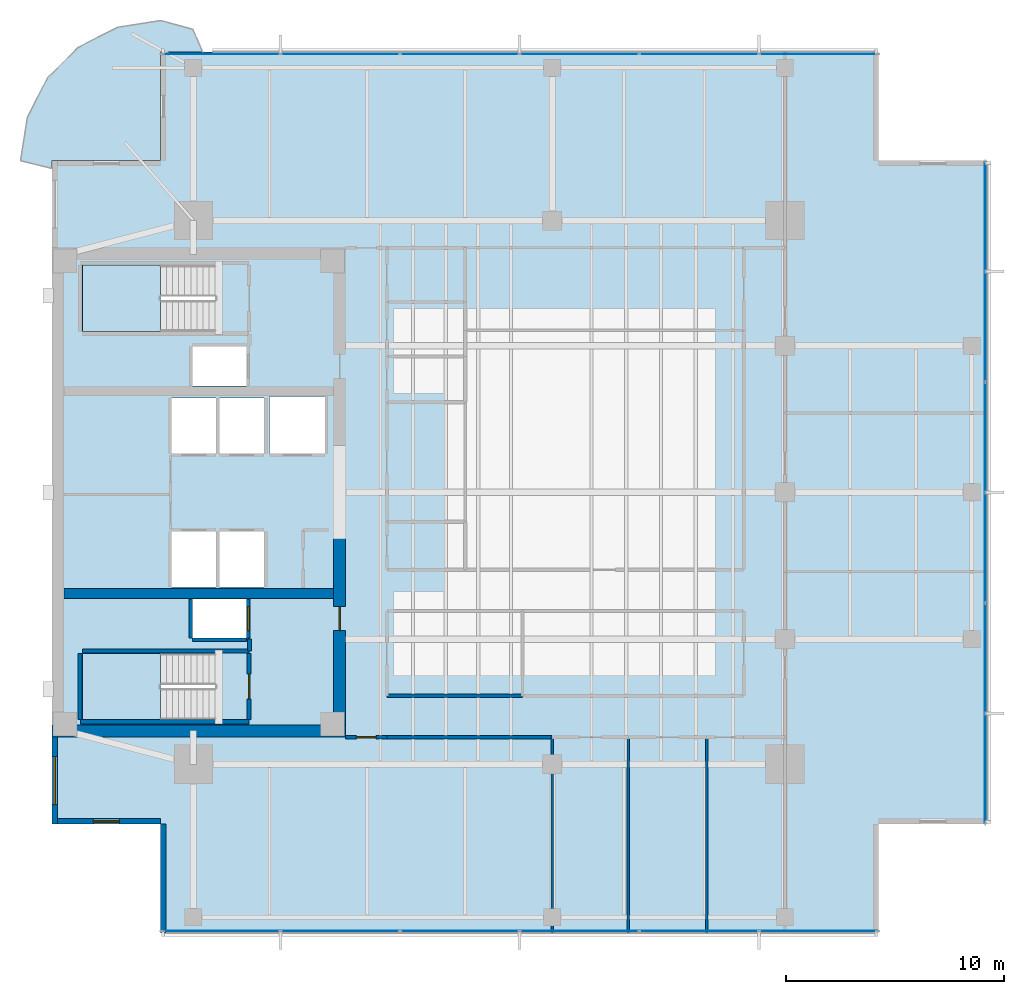
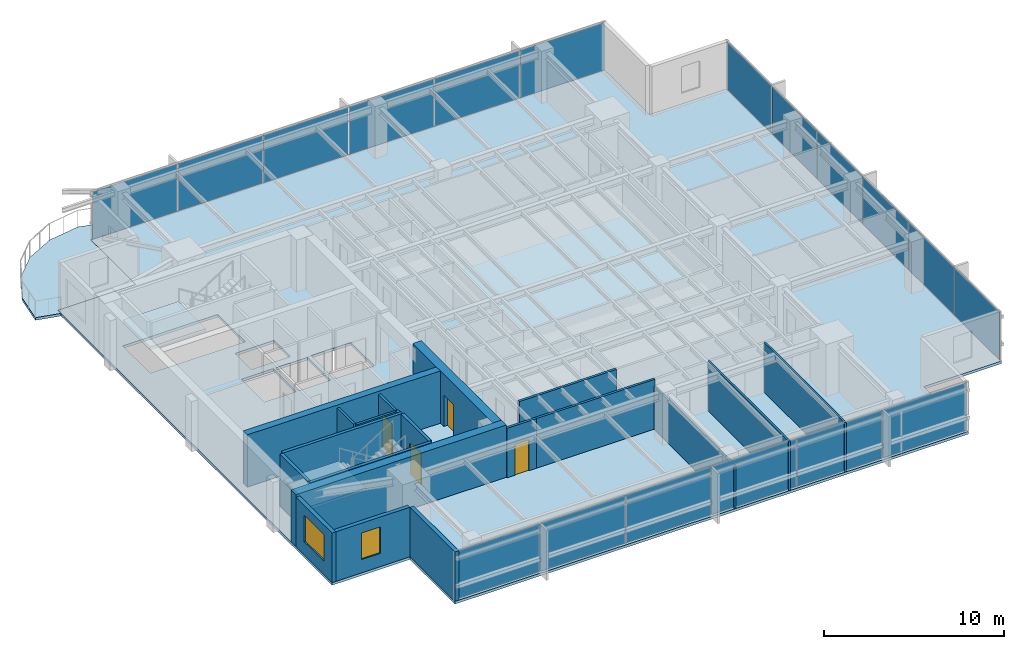
# One storey, part 7 of 14: 20 walls, 18 plates, 4 doors, 4 slabs, 2 windows, 6 openings, 5 elements without a shape of their own.
"""IFC4 building model written with IfcOpenShell, lengths in metres."""

from ifc_helpers import new_model, si_unit, direction, frame, frame_2d, origin, origin_2d, place, context, subcontext, project, spatial, polyline, rectangle, outline, extrude, material, layer, layer_set, type_object, element, fill, aggregate, save


model = new_model("IFC4")

# Units and contexts
model_context = context("Model", 3, precision=1e-05, world=origin(), true_north=direction((0.0, 1.0)))
body_context = subcontext(model_context, "Body", "Model", "MODEL_VIEW")
ifc_project = project(units=[si_unit("LENGTHUNIT", "METRE"), si_unit("AREAUNIT", "SQUARE_METRE"), si_unit("VOLUMEUNIT", "CUBIC_METRE"), si_unit("PLANEANGLEUNIT", "RADIAN"), si_unit("MASSUNIT", "GRAM", prefix="KILO")], contexts=[model_context])

# Site, building, storey
site_placement = place(None, origin())
site = spatial("IfcSite", under=ifc_project, at=site_placement, CompositionType="ELEMENT")
building_placement = place(site_placement, origin())
building = spatial("IfcBuilding", under=site, at=building_placement, Name="Kinhvarn Gate Tower", CompositionType="ELEMENT")
storey_placement = place(building_placement, frame((0.0, 0.0, 230.64990234375)))
storey = spatial("IfcBuildingStorey", under=building, at=storey_placement, Name="L61", CompositionType="ELEMENT", Elevation=230.64990234375)

# Curtain wall, plates
ifc_material_1 = material(Name="Anodised aluminium AW-6063", Category="aluminium")
ifc_layer_1 = layer(ifc_material_1, 0.179931640625)
ifc_layer_set_1 = layer_set([ifc_layer_1], Name="Anodised aluminium AW-6063")
curtain_wall_type = type_object("IfcCurtainWallType", Name="CW-SYS-3", PredefinedType="NOTDEFINED", material=ifc_layer_set_1)
curtain_wall_1_placement = place(storey_placement, origin())
curtain_wall_1 = element("IfcCurtainWall", 1, at=curtain_wall_1_placement, inside=storey, type_object=curtain_wall_type, Name="Curtain Wall CW3 (L61)", PredefinedType="NOTDEFINED")
ifc_material_2 = material(Name="Clear low-e double glazing", Category="glass")
ifc_layer_2 = layer(ifc_material_2, 0.031982421875)
ifc_layer_set_2 = layer_set([ifc_layer_2], Name="Clear low-e double glazing")
plate_type = type_object("IfcPlateType", Name="CW-PNL-VIS", PredefinedType="CURTAIN_PANEL", material=ifc_layer_set_2)
plate_1_placement = place(storey_placement, frame((12.266357421875, 5.090087890625, 0.070068359375), z_axis=(0.0, 0.0, 1.0), x_axis=(1.0, 0.0, 0.0)))
plate_1 = element("IfcPlate", 2, at=plate_1_placement, type_object=plate_type, Name="CW3 panel 1.1", PredefinedType="CURTAIN_PANEL", context=body_context, shape_type="SweptSolid", body=[
    extrude(rectangle(XDim=5.402587890625, YDim=0.031982421875, at=origin_2d()), origin(), (0.0, 0.0, 1.0), 3.22998046875),
])
plate_2_placement = place(storey_placement, frame((17.75, 5.090087890625, 0.070068359375), z_axis=(0.0, 0.0, 1.0), x_axis=(1.0, 0.0, 0.0)))
plate_2 = element("IfcPlate", 3, at=plate_2_placement, type_object=plate_type, Name="CW3 panel 2.1", PredefinedType="CURTAIN_PANEL", context=body_context, shape_type="SweptSolid", body=[
    extrude(rectangle(XDim=5.43505859375, YDim=0.031982421875, at=origin_2d()), origin(), (0.0, 0.0, 1.0), 3.22998046875),
])
plate_3_placement = place(storey_placement, frame((23.25, 5.090087890625, 0.070068359375), z_axis=(0.0, 0.0, 1.0), x_axis=(1.0, 0.0, 0.0)))
plate_3 = element("IfcPlate", 4, at=plate_3_placement, type_object=plate_type, Name="CW3 panel 3.1", PredefinedType="CURTAIN_PANEL", context=body_context, shape_type="SweptSolid", body=[
    extrude(rectangle(XDim=5.43505859375, YDim=0.031982421875, at=origin_2d()), origin(), (0.0, 0.0, 1.0), 3.22998046875),
])
plate_4_placement = place(storey_placement, frame((28.75, 5.090087890625, 0.070068359375), z_axis=(0.0, 0.0, 1.0), x_axis=(1.0, 0.0, 0.0)))
plate_4 = element("IfcPlate", 5, at=plate_4_placement, type_object=plate_type, Name="CW3 panel 4.1", PredefinedType="CURTAIN_PANEL", context=body_context, shape_type="SweptSolid", body=[
    extrude(rectangle(XDim=5.43505859375, YDim=0.031982421875, at=origin_2d()), origin(), (0.0, 0.0, 1.0), 3.22998046875),
])
plate_5_placement = place(storey_placement, frame((34.25, 5.090087890625, 0.070068359375), z_axis=(0.0, 0.0, 1.0), x_axis=(1.0, 0.0, 0.0)))
plate_5 = element("IfcPlate", 6, at=plate_5_placement, type_object=plate_type, Name="CW3 panel 5.1", PredefinedType="CURTAIN_PANEL", context=body_context, shape_type="SweptSolid", body=[
    extrude(rectangle(XDim=5.43505859375, YDim=0.031982421875, at=origin_2d()), origin(), (0.0, 0.0, 1.0), 3.22998046875),
])
plate_6_placement = place(storey_placement, frame((39.733642578125, 5.090087890625, 0.070068359375), z_axis=(0.0, 0.0, 1.0), x_axis=(1.0, 0.0, 0.0)))
plate_6 = element("IfcPlate", 7, at=plate_6_placement, type_object=plate_type, Name="CW3 panel 6.1", PredefinedType="CURTAIN_PANEL", context=body_context, shape_type="SweptSolid", body=[
    extrude(rectangle(XDim=5.402587890625, YDim=0.031982421875, at=origin_2d()), origin(), (0.0, 0.0, 1.0), 3.22998046875),
])
aggregate(curtain_wall_1, [plate_1, plate_2, plate_3, plate_4, plate_5, plate_6])

curtain_wall_2_placement = place(storey_placement, origin())
curtain_wall_2 = element("IfcCurtainWall", 8, at=curtain_wall_2_placement, inside=storey, type_object=curtain_wall_type, Name="Curtain Wall CW3 (L61)", PredefinedType="NOTDEFINED")
plate_7_placement = place(storey_placement, frame((39.733642578125, 45.409912109375, 0.070068359375), z_axis=(0.0, 0.0, 1.0), x_axis=(-1.0, 0.0, 0.0)))
plate_7 = element("IfcPlate", 9, at=plate_7_placement, type_object=plate_type, Name="CW3 panel 1.1", PredefinedType="CURTAIN_PANEL", context=body_context, shape_type="SweptSolid", body=[
    extrude(rectangle(XDim=5.402587890625, YDim=0.031982421875, at=origin_2d()), origin(), (0.0, 0.0, 1.0), 3.22998046875),
])
plate_8_placement = place(storey_placement, frame((34.25, 45.409912109375, 0.070068359375), z_axis=(0.0, 0.0, 1.0), x_axis=(-1.0, 0.0, 0.0)))
plate_8 = element("IfcPlate", 10, at=plate_8_placement, type_object=plate_type, Name="CW3 panel 2.1", PredefinedType="CURTAIN_PANEL", context=body_context, shape_type="SweptSolid", body=[
    extrude(rectangle(XDim=5.43505859375, YDim=0.031982421875, at=origin_2d()), origin(), (0.0, 0.0, 1.0), 3.22998046875),
])
plate_9_placement = place(storey_placement, frame((28.75, 45.409912109375, 0.070068359375), z_axis=(0.0, 0.0, 1.0), x_axis=(-1.0, 0.0, 0.0)))
plate_9 = element("IfcPlate", 11, at=plate_9_placement, type_object=plate_type, Name="CW3 panel 3.1", PredefinedType="CURTAIN_PANEL", context=body_context, shape_type="SweptSolid", body=[
    extrude(rectangle(XDim=5.43505859375, YDim=0.031982421875, at=origin_2d()), origin(), (0.0, 0.0, 1.0), 3.22998046875),
])
plate_10_placement = place(storey_placement, frame((23.25, 45.409912109375, 0.070068359375), z_axis=(0.0, 0.0, 1.0), x_axis=(-1.0, 0.0, 0.0)))
plate_10 = element("IfcPlate", 12, at=plate_10_placement, type_object=plate_type, Name="CW3 panel 4.1", PredefinedType="CURTAIN_PANEL", context=body_context, shape_type="SweptSolid", body=[
    extrude(rectangle(XDim=5.43505859375, YDim=0.031982421875, at=origin_2d()), origin(), (0.0, 0.0, 1.0), 3.22998046875),
])
plate_11_placement = place(storey_placement, frame((17.75, 45.409912109375, 0.070068359375), z_axis=(0.0, 0.0, 1.0), x_axis=(-1.0, 0.0, 0.0)))
plate_11 = element("IfcPlate", 13, at=plate_11_placement, type_object=plate_type, Name="CW3 panel 5.1", PredefinedType="CURTAIN_PANEL", context=body_context, shape_type="SweptSolid", body=[
    extrude(rectangle(XDim=5.43505859375, YDim=0.031982421875, at=origin_2d()), origin(), (0.0, 0.0, 1.0), 3.22998046875),
])
plate_12_placement = place(storey_placement, frame((12.266357421875, 45.409912109375, 0.070068359375), z_axis=(0.0, 0.0, 1.0), x_axis=(-1.0, 0.0, 0.0)))
plate_12 = element("IfcPlate", 14, at=plate_12_placement, type_object=plate_type, Name="CW3 panel 6.1", PredefinedType="CURTAIN_PANEL", context=body_context, shape_type="SweptSolid", body=[
    extrude(rectangle(XDim=5.402587890625, YDim=0.031982421875, at=origin_2d()), origin(), (0.0, 0.0, 1.0), 3.22998046875),
])
aggregate(curtain_wall_2, [plate_7, plate_8, plate_9, plate_10, plate_11, plate_12])

curtain_wall_3_placement = place(storey_placement, origin())
curtain_wall_3 = element("IfcCurtainWall", 15, at=curtain_wall_3_placement, inside=storey, type_object=curtain_wall_type, Name="Curtain Wall CW3 (L61)", PredefinedType="NOTDEFINED")
plate_13_placement = place(storey_placement, frame((47.409912109375, 12.557861328125, 0.070068359375), z_axis=(0.0, 0.0, 1.0), x_axis=(0.0, 1.0, 0.0)))
plate_13 = element("IfcPlate", 16, at=plate_13_placement, type_object=plate_type, Name="CW3 panel 1.1", PredefinedType="CURTAIN_PANEL", context=body_context, shape_type="SweptSolid", body=[
    extrude(rectangle(XDim=4.98583984375, YDim=0.031982421875, at=origin_2d()), origin(), (0.0, 0.0, 1.0), 3.22998046875),
])
plate_14_placement = place(storey_placement, frame((47.409912109375, 17.625, 0.070068359375), z_axis=(0.0, 0.0, 1.0), x_axis=(0.0, 1.0, 0.0)))
plate_14 = element("IfcPlate", 17, at=plate_14_placement, type_object=plate_type, Name="CW3 panel 2.1", PredefinedType="CURTAIN_PANEL", context=body_context, shape_type="SweptSolid", body=[
    extrude(rectangle(XDim=5.018310546875, YDim=0.031982421875, at=origin_2d()), origin(), (0.0, 0.0, 1.0), 3.22998046875),
])
plate_15_placement = place(storey_placement, frame((47.409912109375, 22.708251953125, 0.070068359375), z_axis=(0.0, 0.0, 1.0), x_axis=(0.0, 1.0, 0.0)))
plate_15 = element("IfcPlate", 18, at=plate_15_placement, type_object=plate_type, Name="CW3 panel 3.1", PredefinedType="CURTAIN_PANEL", context=body_context, shape_type="SweptSolid", body=[
    extrude(rectangle(XDim=5.018310546875, YDim=0.031982421875, at=origin_2d()), origin(), (0.0, 0.0, 1.0), 3.22998046875),
])
plate_16_placement = place(storey_placement, frame((47.409912109375, 27.791748046875, 0.070068359375), z_axis=(0.0, 0.0, 1.0), x_axis=(0.0, 1.0, 0.0)))
plate_16 = element("IfcPlate", 19, at=plate_16_placement, type_object=plate_type, Name="CW3 panel 4.1", PredefinedType="CURTAIN_PANEL", context=body_context, shape_type="SweptSolid", body=[
    extrude(rectangle(XDim=5.018310546875, YDim=0.031982421875, at=origin_2d()), origin(), (0.0, 0.0, 1.0), 3.22998046875),
])
plate_17_placement = place(storey_placement, frame((47.409912109375, 32.875, 0.070068359375), z_axis=(0.0, 0.0, 1.0), x_axis=(0.0, 1.0, 0.0)))
plate_17 = element("IfcPlate", 20, at=plate_17_placement, type_object=plate_type, Name="CW3 panel 5.1", PredefinedType="CURTAIN_PANEL", context=body_context, shape_type="SweptSolid", body=[
    extrude(rectangle(XDim=5.018310546875, YDim=0.031982421875, at=origin_2d()), origin(), (0.0, 0.0, 1.0), 3.22998046875),
])
plate_18_placement = place(storey_placement, frame((47.409912109375, 37.942138671875, 0.070068359375), z_axis=(0.0, 0.0, 1.0), x_axis=(0.0, 1.0, 0.0)))
plate_18 = element("IfcPlate", 21, at=plate_18_placement, type_object=plate_type, Name="CW3 panel 6.1", PredefinedType="CURTAIN_PANEL", context=body_context, shape_type="SweptSolid", body=[
    extrude(rectangle(XDim=4.98583984375, YDim=0.031982421875, at=origin_2d()), origin(), (0.0, 0.0, 1.0), 3.22998046875),
])
aggregate(curtain_wall_3, [plate_13, plate_14, plate_15, plate_16, plate_17, plate_18])

# Slabs
ifc_material_3 = material(Name="Precast white architectural concrete C40/50", Category="concrete")
ifc_layer_3 = layer(ifc_material_3, 0.179931640625)
ifc_layer_set_3 = layer_set([ifc_layer_3], Name="Precast white architectural concrete C40/50")
slab_type_1 = type_object("IfcSlabType", Name="SLB-BAL-180", PredefinedType="FLOOR", material=ifc_layer_set_3)
slab_1_placement = place(storey_placement, frame((0.0, 0.0, -0.179931640625)))
element("IfcSlab", 22, at=slab_1_placement, inside=storey, type_object=slab_type_1, Name="S-Carve Curved Terrace Balcony Slab L61 (NW)", PredefinedType="FLOOR", context=body_context, shape_type="SweptSolid", body=[
    extrude(outline(polyline([(11.425048828125, 45.5), (10.97509765625, 46.541748046875), (9.5, 46.947021484375), (7.5078125, 46.631591796875), (5.71044921875, 45.7158203125), (4.2841796875, 44.28955078125), (3.368408203125, 42.4921875), (3.052978515625, 40.5), (4.5, 40.14794921875), (4.5, 40.5), (9.5, 40.5), (9.5, 45.5), (11.425048828125, 45.5)])), origin(), (0.0, 0.0, 1.0), 0.179931640625),
])
ifc_material_4 = material(Name="Concrete C40/50", Category="concrete")
ifc_layer_4 = layer(ifc_material_4, 0.179931640625)
ifc_layer_set_4 = layer_set([ifc_layer_4], Name="Concrete C40/50")
slab_type_2 = type_object("IfcSlabType", Name="SLB-FLR-180", PredefinedType="FLOOR", material=ifc_layer_set_4)
slab_2_placement = place(storey_placement, frame((0.0, 0.0, -0.179931640625)))
element("IfcSlab", 23, at=slab_2_placement, inside=storey, type_object=slab_type_2, Name="Suspended Floor Slab L61", PredefinedType="FLOOR", context=body_context, shape_type="SweptSolid", body=[
    extrude(outline(polyline([(9.5, 5.0), (42.5, 5.0), (42.5, 10.0), (47.5, 10.0), (47.5, 40.5), (42.5, 40.5), (42.5, 45.5), (9.5, 45.5), (9.5, 40.5), (4.5, 40.5), (4.5, 10.0), (9.5, 10.0), (9.5, 5.0)]), holes=[polyline([(5.89990234375, 14.800048828125), (12.0, 14.800048828125), (12.0, 17.85009765625), (5.89990234375, 17.85009765625), (5.89990234375, 14.800048828125)]), polyline([(5.89990234375, 32.64990234375), (12.0, 32.64990234375), (12.0, 35.699951171875), (5.89990234375, 35.699951171875), (5.89990234375, 32.64990234375)]), polyline([(10.0, 20.89990234375), (12.050048828125, 20.89990234375), (12.050048828125, 23.449951171875), (10.0, 23.449951171875), (10.0, 20.89990234375)]), polyline([(12.199951171875, 20.89990234375), (14.25, 20.89990234375), (14.25, 23.449951171875), (12.199951171875, 23.449951171875), (12.199951171875, 20.89990234375)]), polyline([(10.0, 27.050048828125), (12.050048828125, 27.050048828125), (12.050048828125, 29.60009765625), (10.0, 29.60009765625), (10.0, 27.050048828125)]), polyline([(12.199951171875, 27.050048828125), (14.25, 27.050048828125), (14.25, 29.60009765625), (12.199951171875, 29.60009765625), (12.199951171875, 27.050048828125)]), polyline([(14.5, 27.050048828125), (17.050048828125, 27.050048828125), (17.050048828125, 29.64990234375), (14.5, 29.64990234375), (14.5, 27.050048828125)]), polyline([(10.949951171875, 18.550048828125), (13.449951171875, 18.550048828125), (13.449951171875, 20.35009765625), (10.949951171875, 20.35009765625), (10.949951171875, 18.550048828125)]), polyline([(10.949951171875, 30.14990234375), (13.449951171875, 30.14990234375), (13.449951171875, 31.949951171875), (10.949951171875, 31.949951171875), (10.949951171875, 30.14990234375)])]), origin(), (0.0, 0.0, 1.0), 0.179931640625),
])

# Stair, slab
stair_type = type_object("IfcStairType", Name="STR-DLG-177", PredefinedType="HALF_TURN_STAIR", material=ifc_material_4)
stair_1_placement = place(storey_placement, origin())
stair_1 = element("IfcStair", 24, at=stair_1_placement, inside=storey, type_object=stair_type, Name="L61 Core Smokeproof Exit Stair ST1", PredefinedType="HALF_TURN_STAIR")
ifc_layer_5 = layer(ifc_material_4, 0.199951171875)
ifc_layer_set_5 = layer_set([ifc_layer_5], Name="Concrete C40/50")
slab_type_3 = type_object("IfcSlabType", Name="SLB-ST-LND", PredefinedType="LANDING", material=ifc_layer_set_5)
slab_3_placement = place(storey_placement, frame((0.0, 0.0, 1.5751953125)))
slab_3 = element("IfcSlab", 25, at=slab_3_placement, type_object=slab_type_3, Name="ST1 landing 1", PredefinedType="LANDING", context=body_context, shape_type="SweptSolid", body=[
    extrude(outline(polyline([(9.47998046875, 17.85009765625), (5.89990234375, 17.85009765625), (5.89990234375, 14.800048828125), (9.47998046875, 14.800048828125), (9.47998046875, 17.85009765625)])), origin(), (0.0, 0.0, 1.0), 0.199951171875),
])
aggregate(stair_1, [slab_3])

stair_2_placement = place(storey_placement, origin())
stair_2 = element("IfcStair", 26, at=stair_2_placement, inside=storey, type_object=stair_type, Name="L61 Core Smokeproof Exit Stair ST2", PredefinedType="HALF_TURN_STAIR")
slab_4_placement = place(storey_placement, frame((0.0, 0.0, 1.5751953125)))
slab_4 = element("IfcSlab", 27, at=slab_4_placement, type_object=slab_type_3, Name="ST2 landing 1", PredefinedType="LANDING", context=body_context, shape_type="SweptSolid", body=[
    extrude(outline(polyline([(9.47998046875, 35.699951171875), (5.89990234375, 35.699951171875), (5.89990234375, 32.64990234375), (9.47998046875, 32.64990234375), (9.47998046875, 35.699951171875)])), origin(), (0.0, 0.0, 1.0), 0.199951171875),
])
aggregate(stair_2, [slab_4])

# Walls
ifc_material_5 = material(Name="Concrete C50/60", Category="concrete")
ifc_layer_6 = layer(ifc_material_5, 0.449951171875)
ifc_layer_set_6 = layer_set([ifc_layer_6], Name="Concrete C50/60")
wall_type_1 = type_object("IfcWallType", Name="WL-CORE-450", PredefinedType="SHEAR", material=ifc_layer_set_6)
wall_1_placement = place(storey_placement, frame((5.050048828125, 20.60009765625, 0.0), z_axis=(0.0, 0.0, 1.0), x_axis=(1.0, 0.0, 0.0)))
element("IfcWall", 28, at=wall_1_placement, inside=storey, type_object=wall_type_1, Name="Core South Spine Shear Wall L61 450 mm", PredefinedType="SHEAR", context=body_context, shape_type="SweptSolid", body=[
    extrude(rectangle(XDim=12.39990234375, YDim=0.449951171875, at=frame_2d((6.199951171875, 0.0))), origin(), (0.0, 0.0, 1.0), 3.550048828125),
])
ifc_material_6 = material(Name="Concrete C60/75", Category="concrete")
ifc_layer_7 = layer(ifc_material_6, 0.550048828125)
ifc_layer_set_7 = layer_set([ifc_layer_7], Name="Concrete C60/75")
wall_type_2 = type_object("IfcWallType", Name="WL-CORE-550", PredefinedType="SHEAR", material=ifc_layer_set_7)
wall_2_placement = place(storey_placement, frame((4.5, 14.27490234375, 0.0), z_axis=(0.0, 0.0, 1.0), x_axis=(1.0, 0.0, 0.0)))
element("IfcWall", 29, at=wall_2_placement, inside=storey, type_object=wall_type_2, Name="Core South Shear Wall L61 550 mm", PredefinedType="SHEAR", context=body_context, shape_type="SweptSolid", body=[
    extrude(rectangle(XDim=13.5, YDim=0.550048828125, at=frame_2d((6.75, 0.0))), origin(), (0.0, 0.0, 1.0), 3.550048828125),
])

# Wall, opening, door
wall_3_placement = place(storey_placement, frame((17.72509765625, 14.550048828125, 0.0), z_axis=(0.0, 0.0, 1.0), x_axis=(0.0, 1.0, 0.0)))
wall_3 = element("IfcWall", 30, at=wall_3_placement, inside=storey, type_object=wall_type_2, Name="Core East-South Shear Pier L61 550 mm", PredefinedType="SHEAR", context=body_context, shape_type="SweptSolid", body=[
    extrude(rectangle(XDim=8.89990234375, YDim=0.550048828125, at=frame_2d((4.449951171875, 0.0))), origin(), (0.0, 0.0, 1.0), 3.550048828125),
])
opening_1_placement = place(wall_3_placement, frame((4.35009765625, 0.0, 0.0)))
opening_1 = element("IfcOpeningElement", 31, at=opening_1_placement, cuts=wall_3, Name="Opening FD-02", PredefinedType="OPENING", context=body_context, shape_type="SweptSolid", body=[
    extrude(rectangle(XDim=1.10009765625, YDim=2.14990234375, at=frame_2d((0.550048828125, 1.074951171875))), frame((0.0, 0.28515625, 0.0), z_axis=(0.0, -1.0, 0.0), x_axis=(1.0, 0.0, 0.0)), (0.0, 0.0, 1.0), 0.570068359375),
])
door_type_1 = type_object("IfcDoorType", Name="DR-FD-1100", OperationType="NOTDEFINED", PredefinedType="DOOR", material=ifc_material_1)
door_1_placement = place(opening_1_placement, origin())
door_1 = element("IfcDoor", 32, at=door_1_placement, inside=storey, type_object=door_type_1, Name="Firefighting Lobby Core Door (L61)", OperationType="SINGLE_SWING_RIGHT", OverallHeight=2.14990234375, OverallWidth=1.10009765625, PredefinedType="DOOR", context=body_context, shape_type="SweptSolid", body=[
    extrude(rectangle(XDim=1.10009765625, YDim=2.14990234375, at=frame_2d((0.550048828125, 1.074951171875))), frame((0.0, 0.02490234375, 0.0), z_axis=(0.0, -1.0, 0.0), x_axis=(1.0, 0.0, 0.0)), (0.0, 0.0, 1.0), 0.050048828125),
])
fill(opening_1, door_1)

# Wall, opening, window
ifc_material_7 = material(Name="Fired architectural terracotta", Category="masonry")
ifc_layer_8 = layer(ifc_material_7, 0.25)
ifc_layer_set_8 = layer_set([ifc_layer_8], Name="Fired architectural terracotta")
wall_type_3 = type_object("IfcWallType", Name="WL-EXT-250", PredefinedType="SOLIDWALL", material=ifc_layer_set_8)
wall_4_placement = place(storey_placement, frame((4.625, 14.0, 0.0), z_axis=(0.0, 0.0, 1.0), x_axis=(0.0, -1.0, 0.0)))
wall_4 = element("IfcWall", 33, at=wall_4_placement, inside=storey, type_object=wall_type_3, Name="Exterior Solidwall Wall EW-250 (L61 West-South)", PredefinedType="SOLIDWALL", context=body_context, shape_type="SweptSolid", body=[
    extrude(rectangle(XDim=4.0, YDim=0.25, at=frame_2d((2.0, 0.0))), origin(), (0.0, 0.0, 1.0), 3.3701171875),
])
opening_2_placement = place(wall_4_placement, frame((0.89990234375, 0.0, 0.89990234375)))
opening_2 = element("IfcOpeningElement", 34, at=opening_2_placement, cuts=wall_4, Name="Opening WN-01", PredefinedType="OPENING", context=body_context, shape_type="SweptSolid", body=[
    extrude(rectangle(XDim=2.199951171875, YDim=1.800048828125, at=frame_2d((1.10009765625, 0.89990234375))), frame((0.0, 0.135009765625, 0.0), z_axis=(0.0, -1.0, 0.0), x_axis=(1.0, 0.0, 0.0)), (0.0, 0.0, 1.0), 0.27001953125),
])
window_type_1 = type_object("IfcWindowType", Name="WIN-RIB-2200", PartitioningType="SINGLE_PANEL", PredefinedType="WINDOW", material=ifc_material_2)
window_1_placement = place(opening_2_placement, origin())
window_1 = element("IfcWindow", 35, at=window_1_placement, inside=storey, type_object=window_type_1, Name="West Flank Double-Glazed Ribbon Window 2200x1800 mm (L61)", OverallHeight=1.800048828125, OverallWidth=2.199951171875, PartitioningType="SINGLE_PANEL", PredefinedType="WINDOW", context=body_context, shape_type="SweptSolid", body=[
    extrude(rectangle(XDim=2.199951171875, YDim=1.800048828125, at=frame_2d((1.10009765625, 0.89990234375))), frame((0.0, 0.030029296875, 0.0), z_axis=(0.0, -1.0, 0.0), x_axis=(1.0, 0.0, 0.0)), (0.0, 0.0, 1.0), 0.06005859375),
])
fill(opening_2, window_1)

wall_5_placement = place(storey_placement, frame((4.5, 10.125, 0.0), z_axis=(0.0, 0.0, 1.0), x_axis=(1.0, 0.0, 0.0)))
wall_5 = element("IfcWall", 36, at=wall_5_placement, inside=storey, type_object=wall_type_3, Name="Exterior Solidwall Wall EW-250 (L61 SW-Notch-1)", PredefinedType="SOLIDWALL", context=body_context, shape_type="SweptSolid", body=[
    extrude(rectangle(XDim=5.0, YDim=0.25, at=frame_2d((2.5, 0.0))), origin(), (0.0, 0.0, 1.0), 3.3701171875),
])
opening_3_placement = place(wall_5_placement, frame((1.89990234375, 0.0, 0.89990234375)))
opening_3 = element("IfcOpeningElement", 37, at=opening_3_placement, cuts=wall_5, Name="Opening WN-02", PredefinedType="OPENING", context=body_context, shape_type="SweptSolid", body=[
    extrude(rectangle(XDim=1.199951171875, YDim=1.800048828125, at=frame_2d((0.60009765625, 0.89990234375))), frame((0.0, 0.135009765625, 0.0), z_axis=(0.0, -1.0, 0.0), x_axis=(1.0, 0.0, 0.0)), (0.0, 0.0, 1.0), 0.27001953125),
])
window_type_2 = type_object("IfcWindowType", Name="WIN-NTC-1200", PartitioningType="SINGLE_PANEL", PredefinedType="WINDOW", material=ifc_material_2)
window_2_placement = place(opening_3_placement, origin())
window_2 = element("IfcWindow", 38, at=window_2_placement, inside=storey, type_object=window_type_2, Name="Recessed Corner Notch Punched Window 1200x1800 mm (L61)", OverallHeight=1.800048828125, OverallWidth=1.199951171875, PartitioningType="SINGLE_PANEL", PredefinedType="WINDOW", context=body_context, shape_type="SweptSolid", body=[
    extrude(rectangle(XDim=1.199951171875, YDim=1.800048828125, at=frame_2d((0.60009765625, 0.89990234375))), frame((0.0, 0.030029296875, 0.0), z_axis=(0.0, -1.0, 0.0), x_axis=(1.0, 0.0, 0.0)), (0.0, 0.0, 1.0), 0.06005859375),
])
fill(opening_3, window_2)

# Walls
wall_6_placement = place(storey_placement, frame((9.625, 10.0, 0.0), z_axis=(0.0, 0.0, 1.0), x_axis=(0.0, -1.0, 0.0)))
element("IfcWall", 39, at=wall_6_placement, inside=storey, type_object=wall_type_3, Name="Exterior Solidwall Wall EW-250 (L61 SW-Notch-2)", PredefinedType="SOLIDWALL", context=body_context, shape_type="SweptSolid", body=[
    extrude(rectangle(XDim=5.0, YDim=0.25, at=frame_2d((2.5, 0.0))), origin(), (0.0, 0.0, 1.0), 3.3701171875),
])
ifc_material_8 = material(Name="Gypsum acoustic partition board")
ifc_layer_9 = layer(ifc_material_8, 0.1201171875)
ifc_layer_set_9 = layer_set([ifc_layer_9], Name="Gypsum acoustic partition board")
wall_type_4 = type_object("IfcWallType", Name="WL-PRT-120", PredefinedType="PARTITIONING", material=ifc_layer_set_9)
wall_7_placement = place(storey_placement, frame((27.5, 5.010009765625, 0.0), z_axis=(0.0, 0.0, 1.0), x_axis=(0.0, 1.0, 0.0)))
element("IfcWall", 40, at=wall_7_placement, inside=storey, type_object=wall_type_4, Name="Interior Partition PW-120 (L61)", PredefinedType="PARTITIONING", context=body_context, shape_type="SweptSolid", body=[
    extrude(rectangle(XDim=8.989990234375, YDim=0.1201171875, at=frame_2d((4.4951171875, 0.0))), origin(), (0.0, 0.0, 1.0), 2.920166015625),
])
for number, where, z_axis, x_axis, name in (
    (41, (31.0, 5.010009765625, 0.0), (0.0, 0.0, 1.0), (0.0, 1.0, 0.0), "Interior Partition PW-120 (L61)"),
    (42, (34.60009765625, 5.010009765625, 0.0), (0.0, 0.0, 1.0), (0.0, 1.0, 0.0), "Interior Partition PW-120 (L61)"),
):
    element("IfcWall", number, at=place(storey_placement, frame(where, z_axis=z_axis, x_axis=x_axis)), inside=storey, type_object=wall_type_4, Name=name, PredefinedType="PARTITIONING", context=body_context, shape_type="SweptSolid", body=[
        extrude(rectangle(XDim=8.989990234375, YDim=0.1201171875, at=frame_2d((4.4951171875, 0.0))), origin(), (0.0, 0.0, 1.0), 3.3701171875),
    ])

# Wall, opening, door
ifc_layer_10 = layer(ifc_material_8, 0.14990234375)
ifc_layer_set_10 = layer_set([ifc_layer_10], Name="Gypsum acoustic partition board")
wall_type_5 = type_object("IfcWallType", Name="WL-PRT-150F", PredefinedType="PARTITIONING", material=ifc_layer_set_10)
wall_8_placement = place(storey_placement, frame((18.0, 14.0, 0.0), z_axis=(0.0, 0.0, 1.0), x_axis=(1.0, 0.0, 0.0)))
wall_8 = element("IfcWall", 43, at=wall_8_placement, inside=storey, type_object=wall_type_5, Name="Interior Partition PW-150F (L61)", PredefinedType="PARTITIONING", context=body_context, shape_type="SweptSolid", body=[
    extrude(rectangle(XDim=1.89990234375, YDim=0.14990234375, at=frame_2d((0.949951171875, 0.0))), origin(), (0.0, 0.0, 1.0), 3.3701171875),
])
opening_4_placement = place(wall_8_placement, frame((0.5, 0.0, 0.0)))
opening_4 = element("IfcOpeningElement", 44, at=opening_4_placement, cuts=wall_8, Name="Opening ID-03", PredefinedType="OPENING", context=body_context, shape_type="SweptSolid", body=[
    extrude(rectangle(XDim=0.89990234375, YDim=2.10009765625, at=frame_2d((0.449951171875, 1.050048828125))), frame((0.0, 0.0849609375, 0.0), z_axis=(0.0, -1.0, 0.0), x_axis=(1.0, 0.0, 0.0)), (0.0, 0.0, 1.0), 0.169921875),
])
door_type_2 = type_object("IfcDoorType", Name="DR-INT-900", OperationType="NOTDEFINED", PredefinedType="DOOR", material=ifc_material_1)
door_2_placement = place(opening_4_placement, origin())
door_2 = element("IfcDoor", 45, at=door_2_placement, inside=storey, type_object=door_type_2, Name="Cellular Office & Restroom Door 900x2100 mm (L61)", OperationType="SINGLE_SWING_LEFT", OverallHeight=2.10009765625, OverallWidth=0.89990234375, PredefinedType="DOOR", context=body_context, shape_type="SweptSolid", body=[
    extrude(rectangle(XDim=0.89990234375, YDim=2.10009765625, at=frame_2d((0.449951171875, 1.050048828125))), frame((0.0, 0.02490234375, 0.0), z_axis=(0.0, -1.0, 0.0), x_axis=(1.0, 0.0, 0.0)), (0.0, 0.0, 1.0), 0.050048828125),
])
fill(opening_4, door_2)

# Walls
wall_9_placement = place(storey_placement, frame((19.89990234375, 15.89990234375, 0.0), z_axis=(0.0, 0.0, 1.0), x_axis=(1.0, 0.0, 0.0)))
element("IfcWall", 46, at=wall_9_placement, inside=storey, type_object=wall_type_5, Name="Interior Partition PW-150F (L61)", PredefinedType="PARTITIONING", context=body_context, shape_type="SweptSolid", body=[
    extrude(rectangle(XDim=6.22998046875, YDim=0.14990234375, at=frame_2d((3.114990234375, 0.0))), origin(), (0.0, 0.0, 1.0), 3.3701171875),
])
wall_10_placement = place(storey_placement, frame((19.89990234375, 14.0, 0.0), z_axis=(0.0, 0.0, 1.0), x_axis=(1.0, 0.0, 0.0)))
element("IfcWall", 47, at=wall_10_placement, inside=storey, type_object=wall_type_5, Name="Interior Partition PW-150F (L61)", PredefinedType="PARTITIONING", context=body_context, shape_type="SweptSolid", body=[
    extrude(rectangle(XDim=7.60009765625, YDim=0.14990234375, at=frame_2d((3.800048828125, 0.0))), origin(), (0.0, 0.0, 1.0), 3.3701171875),
])
ifc_layer_11 = layer(ifc_material_8, 0.199951171875)
ifc_layer_set_11 = layer_set([ifc_layer_11], Name="Gypsum acoustic partition board")
wall_type_6 = type_object("IfcWallType", Name="WL-PRT-200", PredefinedType="PARTITIONING", material=ifc_layer_set_11)
wall_11_placement = place(storey_placement, frame((13.580078125, 17.9599609375, 0.0), z_axis=(0.0, 0.0, 1.0), x_axis=(0.0, 1.0, 0.0)))
element("IfcWall", 48, at=wall_11_placement, inside=storey, type_object=wall_type_6, Name="Interior Partition PW-200 (L61)", PredefinedType="PARTITIONING", context=body_context, shape_type="SweptSolid", body=[
    extrude(rectangle(XDim=0.5400390625, YDim=0.199951171875, at=frame_2d((0.27001953125, 0.0))), origin(), (0.0, 0.0, 1.0), 3.3701171875),
])
ifc_layer_12 = layer(ifc_material_8, 0.14990234375)
ifc_layer_set_12 = layer_set([ifc_layer_12], Name="Gypsum acoustic partition board")
wall_type_7 = type_object("IfcWallType", Name="WL-SHF-150", PredefinedType="PARTITIONING", material=ifc_layer_set_12)
wall_12_placement = place(storey_placement, frame((10.949951171875, 18.47509765625, 0.0), z_axis=(0.0, 0.0, 1.0), x_axis=(1.0, 0.0, 0.0)))
element("IfcWall", 49, at=wall_12_placement, inside=storey, type_object=wall_type_7, Name="Elevator FF1 Hoistway Wall S (L61)", PredefinedType="PARTITIONING", context=body_context, shape_type="SweptSolid", body=[
    extrude(rectangle(XDim=2.5, YDim=0.14990234375, at=frame_2d((1.25, 0.0))), origin(), (0.0, 0.0, 1.0), 3.3701171875),
])
wall_13_placement = place(storey_placement, frame((10.875, 18.550048828125, 0.0), z_axis=(0.0, 0.0, 1.0), x_axis=(0.0, 1.0, 0.0)))
element("IfcWall", 50, at=wall_13_placement, inside=storey, type_object=wall_type_7, Name="Elevator FF1 Hoistway Wall W (L61)", PredefinedType="PARTITIONING", context=body_context, shape_type="SweptSolid", body=[
    extrude(rectangle(XDim=1.800048828125, YDim=0.14990234375, at=frame_2d((0.89990234375, 0.0))), origin(), (0.0, 0.0, 1.0), 3.3701171875),
])

# Wall, opening, door
wall_14_placement = place(storey_placement, frame((13.52490234375, 18.550048828125, 0.0), z_axis=(0.0, 0.0, 1.0), x_axis=(0.0, 1.0, 0.0)))
wall_14 = element("IfcWall", 51, at=wall_14_placement, inside=storey, type_object=wall_type_7, Name="Elevator FF1 Landing Wall (L61)", PredefinedType="PARTITIONING", context=body_context, shape_type="SweptSolid", body=[
    extrude(rectangle(XDim=1.800048828125, YDim=0.14990234375, at=frame_2d((0.89990234375, 0.0))), origin(), (0.0, 0.0, 1.0), 3.3701171875),
])
opening_5_placement = place(wall_14_placement, frame((0.35009765625, 0.0, 0.0)))
opening_5 = element("IfcOpeningElement", 52, at=opening_5_placement, cuts=wall_14, Name="Opening LD-03", PredefinedType="OPENING", context=body_context, shape_type="SweptSolid", body=[
    extrude(rectangle(XDim=1.10009765625, YDim=2.199951171875, at=frame_2d((0.550048828125, 1.10009765625))), frame((0.0, 0.0849609375, 0.0), z_axis=(0.0, -1.0, 0.0), x_axis=(1.0, 0.0, 0.0)), (0.0, 0.0, 1.0), 0.169921875),
])
door_type_3 = type_object("IfcDoorType", Name="DR-LND-FF", OperationType="NOTDEFINED", PredefinedType="DOOR", material=ifc_material_1)
door_3_placement = place(opening_5_placement, origin())
door_3 = element("IfcDoor", 53, at=door_3_placement, inside=storey, type_object=door_type_3, Name="Elevator FF1 Sliding Landing Door (L61)", OperationType="DOUBLE_DOOR_SLIDING", OverallHeight=2.199951171875, OverallWidth=1.10009765625, PredefinedType="DOOR", context=body_context, shape_type="SweptSolid", body=[
    extrude(rectangle(XDim=1.10009765625, YDim=2.199951171875, at=frame_2d((0.550048828125, 1.10009765625))), frame((0.0, 0.02490234375, 0.0), z_axis=(0.0, -1.0, 0.0), x_axis=(1.0, 0.0, 0.0)), (0.0, 0.0, 1.0), 0.050048828125),
])
fill(opening_5, door_3)

# Walls
ifc_layer_13 = layer(ifc_material_4, 0.199951171875)
ifc_layer_set_13 = layer_set([ifc_layer_13], Name="Concrete C40/50")
wall_type_8 = type_object("IfcWallType", Name="WL-SHF-200", PredefinedType="SOLIDWALL", material=ifc_layer_set_13)
wall_15_placement = place(storey_placement, frame((5.800048828125, 14.699951171875, 0.0), z_axis=(0.0, 0.0, 1.0), x_axis=(1.0, 0.0, 0.0)))
element("IfcWall", 54, at=wall_15_placement, inside=storey, type_object=wall_type_8, Name="Stair ST1 South Shaft Wall (L61)", PredefinedType="SOLIDWALL", context=body_context, shape_type="SweptSolid", body=[
    extrude(rectangle(XDim=7.75, YDim=0.199951171875, at=frame_2d((3.875, 0.0))), origin(), (0.0, 0.0, 1.0), 3.550048828125),
])
wall_16_placement = place(storey_placement, frame((5.7900390625, 14.800048828125, 0.0), z_axis=(0.0, 0.0, 1.0), x_axis=(0.0, 1.0, 0.0)))
element("IfcWall", 55, at=wall_16_placement, inside=storey, type_object=wall_type_8, Name="Stair ST1 West Shaft Wall (L61)", PredefinedType="SOLIDWALL", context=body_context, shape_type="SweptSolid", body=[
    extrude(rectangle(XDim=3.050048828125, YDim=0.199951171875, at=frame_2d((1.52490234375, 0.0))), origin(), (0.0, 0.0, 1.0), 3.550048828125),
])
wall_17_placement = place(storey_placement, frame((5.89990234375, 17.9599609375, 0.0), z_axis=(0.0, 0.0, 1.0), x_axis=(1.0, 0.0, 0.0)))
element("IfcWall", 56, at=wall_17_placement, inside=storey, type_object=wall_type_8, Name="Stair ST1 North Shaft Wall (L61)", PredefinedType="SOLIDWALL", context=body_context, shape_type="SweptSolid", body=[
    extrude(rectangle(XDim=7.66015625, YDim=0.199951171875, at=frame_2d((3.830078125, 0.0))), origin(), (0.0, 0.0, 1.0), 3.550048828125),
])

# Wall, opening, door
wall_18_placement = place(storey_placement, frame((13.56005859375, 14.800048828125, 0.0), z_axis=(0.0, 0.0, 1.0), x_axis=(0.0, 1.0, 0.0)))
wall_18 = element("IfcWall", 57, at=wall_18_placement, inside=storey, type_object=wall_type_8, Name="Stair ST1 East Entry Wall (L61)", PredefinedType="SOLIDWALL", context=body_context, shape_type="SweptSolid", body=[
    extrude(rectangle(XDim=3.050048828125, YDim=0.199951171875, at=frame_2d((1.52490234375, 0.0))), origin(), (0.0, 0.0, 1.0), 3.550048828125),
])
opening_6_placement = place(wall_18_placement, frame((0.949951171875, 0.0, 0.0)))
opening_6 = element("IfcOpeningElement", 58, at=opening_6_placement, cuts=wall_18, Name="Opening FD-01", PredefinedType="OPENING", context=body_context, shape_type="SweptSolid", body=[
    extrude(rectangle(XDim=1.14990234375, YDim=2.14990234375, at=frame_2d((0.574951171875, 1.074951171875))), frame((0.0, 0.10986328125, 0.0), z_axis=(0.0, -1.0, 0.0), x_axis=(1.0, 0.0, 0.0)), (0.0, 0.0, 1.0), 0.219970703125),
])
door_type_4 = type_object("IfcDoorType", Name="DR-ST-1150", OperationType="NOTDEFINED", PredefinedType="DOOR", material=ifc_material_1)
door_4_placement = place(opening_6_placement, origin())
door_4 = element("IfcDoor", 59, at=door_4_placement, inside=storey, type_object=door_type_4, Name="Exit Stair ST1 Fire Door (L61)", OperationType="SINGLE_SWING_LEFT", OverallHeight=2.14990234375, OverallWidth=1.14990234375, PredefinedType="DOOR", context=body_context, shape_type="SweptSolid", body=[
    extrude(rectangle(XDim=1.14990234375, YDim=2.14990234375, at=frame_2d((0.574951171875, 1.074951171875))), frame((0.0, 0.02490234375, 0.0), z_axis=(0.0, -1.0, 0.0), x_axis=(1.0, 0.0, 0.0)), (0.0, 0.0, 1.0), 0.050048828125),
])
fill(opening_6, door_4)

save(model, "model.ifc")
